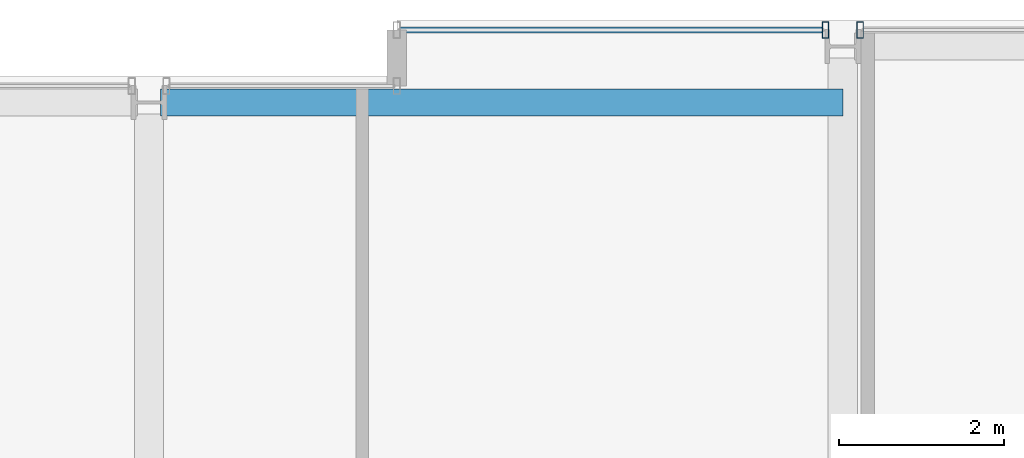
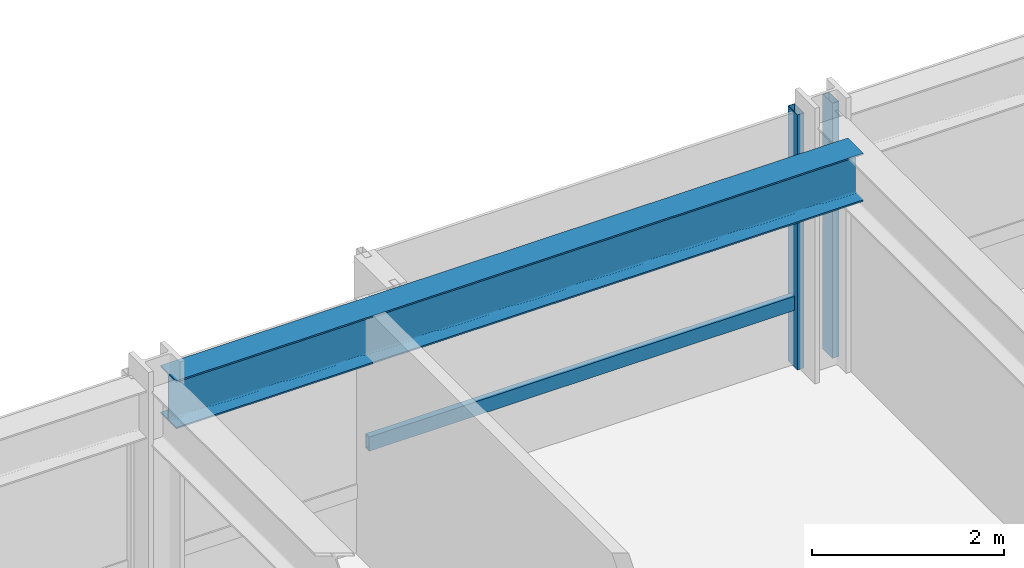
# One storey, part 25 of 34: 3 members, 1 beam, 2 elements without a shape of their own.
"""IFC4 building model written with IfcOpenShell, lengths in metres."""

from ifc_helpers import new_model, si_unit, direction, frame, origin, origin_2d, place, context, subcontext, project, spatial, hollow_rectangle, i_section, extrude, material, layer, layer_set, material_profile, profile_set, type_object, element, aggregate, save


model = new_model("IFC4")

# Units and contexts
model_context = context("Model", 3, precision=1e-05, world=origin(), true_north=direction((0.0, 1.0)))
body_context = subcontext(model_context, "Body", "Model", "MODEL_VIEW")
ifc_project = project(units=[si_unit("LENGTHUNIT", "METRE"), si_unit("AREAUNIT", "SQUARE_METRE"), si_unit("VOLUMEUNIT", "CUBIC_METRE"), si_unit("PLANEANGLEUNIT", "RADIAN"), si_unit("MASSUNIT", "GRAM", prefix="KILO")], contexts=[model_context])

# Site, building, storey
site_placement = place(None, origin())
site = spatial("IfcSite", under=ifc_project, at=site_placement, CompositionType="ELEMENT")
building_placement = place(site_placement, origin())
building = spatial("IfcBuilding", under=site, at=building_placement, Name="Drelvath Grand Hotel", CompositionType="ELEMENT")
storey_placement = place(building_placement, frame((0.0, 0.0, 126.800048828125)))
storey = spatial("IfcBuildingStorey", under=building, at=storey_placement, Name="L32", CompositionType="ELEMENT", Elevation=126.800048828125)

# Curtain wall, members
ifc_material_1 = material(Name="Champagne Bronze Anodised Aluminium Frame", Category="aluminium")
ifc_layer = layer(ifc_material_1, 0.199951171875)
ifc_layer_set = layer_set([ifc_layer], Name="Champagne Bronze Anodised Aluminium Frame")
curtain_wall_type = type_object("IfcCurtainWallType", Name="Stick Curtain Wall CW-03 Champagne Bronze Mid-Rise", PredefinedType="NOTDEFINED", material=ifc_layer_set)
curtain_wall_1_placement = place(storey_placement, origin())
curtain_wall_1 = element("IfcCurtainWall", 1, at=curtain_wall_1_placement, inside=storey, type_object=curtain_wall_type, Name="L32 CW-03 Curtain Wall CW03-L32-NE1", PredefinedType="NOTDEFINED")
ifc_material_profile_1 = material_profile(ifc_material_1, hollow_rectangle(XDim=0.074951171875, YDim=0.179931640625, WallThickness=0.0048828125, at=origin_2d()), Name="HSS180X75X5")
ifc_profile_set_1 = profile_set([ifc_material_profile_1], Name="Champagne Bronze Anodised Aluminium Frame")
member_type_1 = type_object("IfcMemberType", Name="Curtain Wall Horizontal Transom CW-03 HSS180X75X5", PredefinedType="USERDEFINED", material=ifc_profile_set_1)
member_1_placement = place(storey_placement, frame((3.0400390625, 53.8798828125, 0.81005859375), z_axis=(1.0, 0.0, 0.0), x_axis=(0.0, 1.0, 0.0)))
member_1 = element("IfcMember", 2, at=member_1_placement, type_object=member_type_1, Name="CW03-L32-NE1 Sill Transom", ObjectType="TRANSOM", PredefinedType="USERDEFINED", context=body_context, shape_type="SweptSolid", body=[
    extrude(hollow_rectangle(XDim=0.074951171875, YDim=0.179931640625, WallThickness=0.0048828125, at=origin_2d()), origin(), (0.0, 0.0, 1.0), 5.110595703125),
])
ifc_material_profile_2 = material_profile(ifc_material_1, hollow_rectangle(XDim=0.080078125, YDim=0.199951171875, WallThickness=0.0048828125, at=origin_2d()), Name="HSS200X80X5")
ifc_profile_set_2 = profile_set([ifc_material_profile_2], Name="Champagne Bronze Anodised Aluminium Frame")
member_type_2 = type_object("IfcMemberType", Name="Curtain Wall Vertical Mullion CW-03 HSS200X80X5", PredefinedType="MULLION", material=ifc_profile_set_2)
member_2_placement = place(storey_placement, frame((8.190673828125, 53.8798828125, 0.0), z_axis=(0.0, 0.0, 1.0), x_axis=(1.0, 0.0, 0.0)))
member_2 = element("IfcMember", 3, at=member_2_placement, type_object=member_type_2, Name="CW03-L32-NE1 Mullion 2", PredefinedType="MULLION", context=body_context, shape_type="SweptSolid", body=[
    extrude(hollow_rectangle(XDim=0.080078125, YDim=0.199951171875, WallThickness=0.0048828125, at=origin_2d()), origin(), (0.0, 0.0, 1.0), 3.239990234375),
])
aggregate(curtain_wall_1, [member_2, member_1])

# Curtain wall, member
curtain_wall_2_placement = place(storey_placement, origin())
curtain_wall_2 = element("IfcCurtainWall", 4, at=curtain_wall_2_placement, inside=storey, type_object=curtain_wall_type, Name="L32 CW-03 Curtain Wall CW03-L32-NE2", PredefinedType="NOTDEFINED")
member_3_placement = place(storey_placement, frame((8.609375, 53.8798828125, 0.0), z_axis=(0.0, 0.0, 1.0), x_axis=(1.0, 0.0, 0.0)))
member_3 = element("IfcMember", 5, at=member_3_placement, type_object=member_type_2, Name="CW03-L32-NE2 Mullion 1", PredefinedType="MULLION", context=body_context, shape_type="SweptSolid", body=[
    extrude(hollow_rectangle(XDim=0.080078125, YDim=0.199951171875, WallThickness=0.0048828125, at=origin_2d()), origin(), (0.0, 0.0, 1.0), 3.239990234375),
])
aggregate(curtain_wall_2, [member_3])

# Beam
ifc_material_2 = material(Name="Steel ASTM A992 Gr 50", Category="steel")
ifc_material_profile_3 = material_profile(ifc_material_2, i_section(OverallWidth=0.323974609375, OverallDepth=0.611083984375, WebThickness=0.0126953125, FlangeThickness=0.01904296875, FilletRadius=0.02197265625, at=origin_2d()), Name="W24X104")
ifc_profile_set_3 = profile_set([ifc_material_profile_3], Name="Steel ASTM A992 Gr 50")
beam_type = type_object("IfcBeamType", Name="Perimeter Spandrel Beam W24X104", PredefinedType="SPANDREL", material=ifc_profile_set_3)
beam_placement = place(storey_placement, frame((0.139892578125, 53.0, 2.934326171875), z_axis=(1.0, 0.0, 0.0), x_axis=(0.0, 1.0, 0.0)))
element("IfcBeam", 6, at=beam_placement, inside=storey, type_object=beam_type, Name="L32 Spandrel North Mid E", PredefinedType="SPANDREL", context=body_context, shape_type="SweptSolid", body=[
    extrude(i_section(OverallWidth=0.323974609375, OverallDepth=0.611083984375, WebThickness=0.0126953125, FlangeThickness=0.01904296875, FilletRadius=0.02197265625, at=origin_2d()), origin(), (0.0, 0.0, 1.0), 8.260009765625),
])

save(model, "model.ifc")
